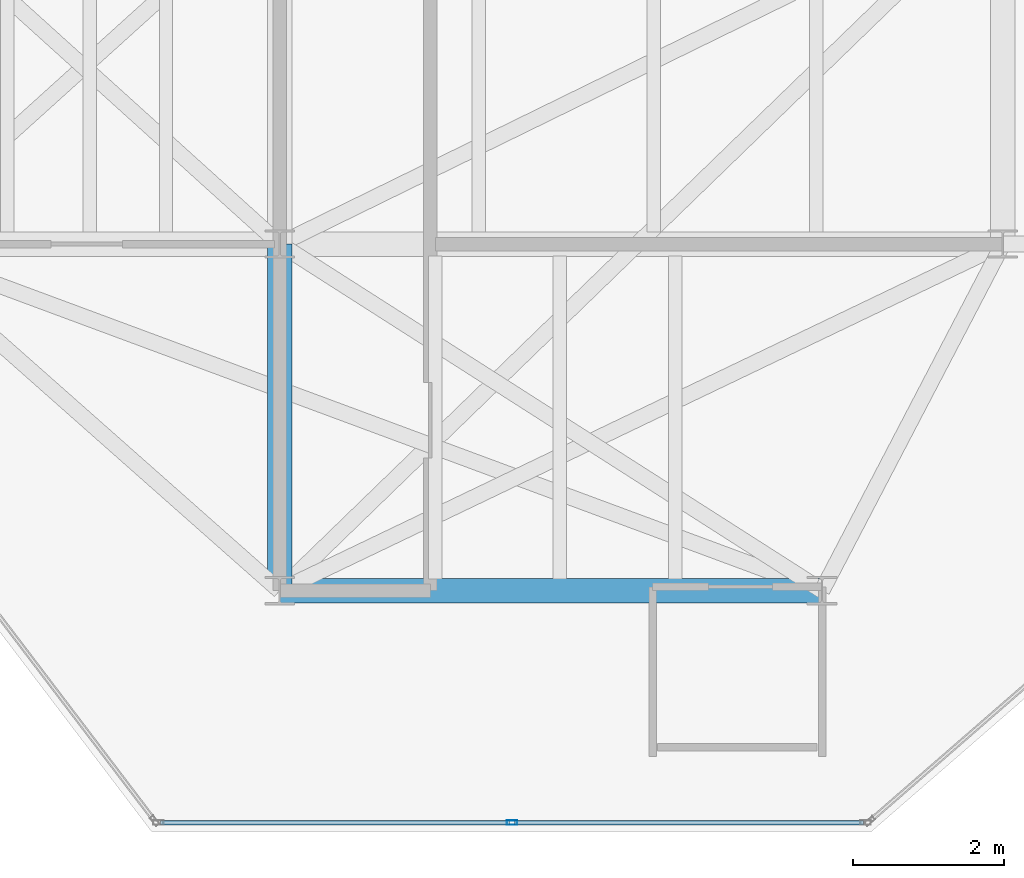
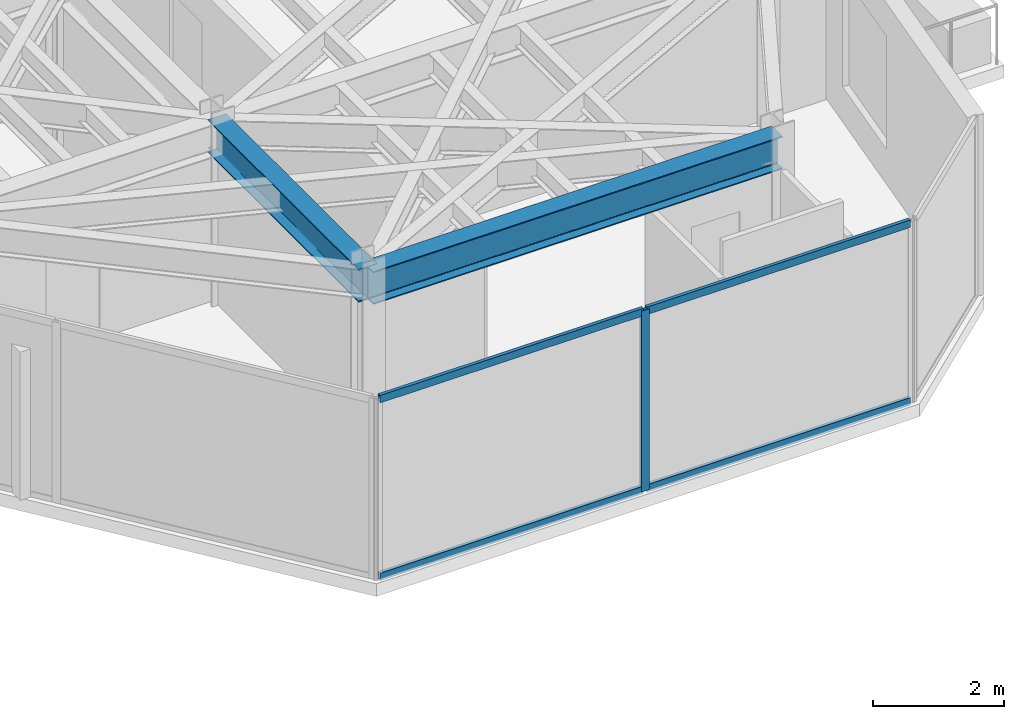
# One storey, part 6 of 17: 5 members, 2 beams, 1 element without a shape of its own.
"""IFC4 building model written with IfcOpenShell, lengths in metres."""

import ifcopenshell
import ifcopenshell.guid

model = None  # the IFC model being written
_history = None  # IfcOwnerHistory: only IFC2X3 demands one
_inside = {}  # id of a spatial element -> (the spatial element, [elements in it])
_under = {}  # id of a project, library or spatial element -> (it, [spatial elements below it])
_declared = {}  # id of a project -> (the project, [libraries it declares])
_typed = {}  # id of a type object -> (the type object, [elements of that type])
_made_of = {}  # id of a material, layer set ... -> (it, [elements and type objects made of it])


def new_model(schema):
    """Start an empty IFC model of exactly this schema.

    Asked for "IFC4X3", IfcOpenShell would pick the latest addendum, in which some entities
    have other attributes; the version numbers below select the first issue.
    IFC2X3 requires an IfcOwnerHistory on every rooted entity: one is made here for all.
    """
    global model, _history
    if schema == "IFC4X3":
        model = ifcopenshell.file(schema_version=(4, 3, 0, 0))
    else:
        model = ifcopenshell.file(schema=schema)
    _inside.clear()
    _under.clear()
    _declared.clear()
    _typed.clear()
    _made_of.clear()
    _history = None
    if model.schema == "IFC2X3":
        org = make("IfcOrganization", Name="unknown")
        user = make(
            "IfcPersonAndOrganization",
            ThePerson=make("IfcPerson", FamilyName="unknown"),
            TheOrganization=org,
        )
        app = make(
            "IfcApplication",
            ApplicationDeveloper=org,
            Version="unknown",
            ApplicationFullName="unknown",
            ApplicationIdentifier="unknown",
        )
        _history = make(
            "IfcOwnerHistory",
            OwningUser=user,
            OwningApplication=app,
            ChangeAction="ADDED",
            CreationDate=0,
        )
    return model


def make(cls, **values):
    """One entity of the class cls with the attributes given. An attribute that is None is left unset."""
    return model.create_entity(
        cls, **{name: value for name, value in values.items() if value is not None}
    )


def rooted(cls, **values):
    """An entity with a GlobalId (a new one), such as an element, a storey or a relation."""
    return make(cls, GlobalId=ifcopenshell.guid.new(), OwnerHistory=_history, **values)


def si_unit(unit_type, name, prefix=None):
    """IfcSIUnit, for example si_unit("LENGTHUNIT", "METRE", prefix="MILLI")."""
    return make("IfcSIUnit", UnitType=unit_type, Prefix=prefix, Name=name)


def assignment(units):
    """IfcUnitAssignment: the units of a project."""
    return None if units is None else make("IfcUnitAssignment", Units=units)


def point(xyz):
    """IfcCartesianPoint."""
    return None if xyz is None else make("IfcCartesianPoint", Coordinates=xyz)


def direction(xyz):
    """IfcDirection."""
    return None if xyz is None else make("IfcDirection", DirectionRatios=xyz)


def frame(location, z_axis=None, x_axis=None):
    """IfcAxis2Placement3D, a coordinate frame: its origin and axes. An axis left out is left unset."""
    return make(
        "IfcAxis2Placement3D",
        Location=point(location),
        Axis=direction(z_axis),
        RefDirection=direction(x_axis),
    )


def frame_2d(location, x_axis=None):
    """IfcAxis2Placement2D, a coordinate frame in the plane: its origin and x axis."""
    return make(
        "IfcAxis2Placement2D", Location=point(location), RefDirection=direction(x_axis)
    )


def origin():
    """The frame at (0, 0, 0) with its axes left unset."""
    return frame((0.0, 0.0, 0.0))


def origin_2d():
    """The frame at (0, 0) in the plane with its x axis left unset."""
    return frame_2d((0.0, 0.0))


def place(relative_to, where):
    """IfcLocalPlacement: puts the frame where relative to a parent placement (None: the world)."""
    return make(
        "IfcLocalPlacement", PlacementRelTo=relative_to, RelativePlacement=where
    )


def context(
    kind, dimensions, precision=None, world=None, true_north=None, identifier=None
):
    """IfcGeometricRepresentationContext, for example the 3D "Model" context."""
    return make(
        "IfcGeometricRepresentationContext",
        ContextIdentifier=identifier,
        ContextType=kind,
        CoordinateSpaceDimension=dimensions,
        Precision=precision,
        WorldCoordinateSystem=world,
        TrueNorth=true_north,
    )


def subcontext(parent, identifier, kind, view, scale=None):
    """IfcGeometricRepresentationSubContext, for example "Body" below "Model"."""
    return make(
        "IfcGeometricRepresentationSubContext",
        ContextIdentifier=identifier,
        ContextType=kind,
        ParentContext=parent,
        TargetScale=scale,
        TargetView=view,
    )


def project(units=None, contexts=None):
    """IfcProject with its units and contexts."""
    return rooted(
        "IfcProject",
        Name="project",
        RepresentationContexts=contexts,
        UnitsInContext=assignment(units),
    )


def spatial(cls, under=None, at=None, **own):
    """A site, building, storey or space (cls), placed at a placement, below another one or the project."""
    s = rooted(cls, ObjectPlacement=at, **own)
    if under is not None:
        _under.setdefault(under.id(), (under, []))[1].append(s)
    return s


def profile(cls, at=None, kind="AREA", **sizes):
    """A parametric profile (cls). Its sizes go by their IFC names, for example OverallWidth=200.0."""
    return make(cls, ProfileType=kind, Position=at, **sizes)


def hollow_rectangle(**sizes):
    """IfcRectangleHollowProfileDef."""
    return profile("IfcRectangleHollowProfileDef", **sizes)


def i_section(**sizes):
    """IfcIShapeProfileDef."""
    return profile("IfcIShapeProfileDef", **sizes)


def extrude(swept, where, along, depth):
    """IfcExtrudedAreaSolid: the profile swept, set in the frame where, extruded along a direction by depth."""
    return make(
        "IfcExtrudedAreaSolid",
        SweptArea=swept,
        Position=where,
        ExtrudedDirection=direction(along),
        Depth=depth,
    )


def shape(context_of_items, identifier, shape_type, items):
    """IfcShapeRepresentation: the items that make up one representation, for example the "Body"."""
    return make(
        "IfcShapeRepresentation",
        ContextOfItems=context_of_items,
        RepresentationIdentifier=identifier,
        RepresentationType=shape_type,
        Items=items,
    )


def material(Name=None, Category=None):
    """IfcMaterial."""
    return make("IfcMaterial", Name=Name, Category=Category)


def layer(
    of_material, thickness, ventilated=None, Name=None, Category=None, Priority=None
):
    """IfcMaterialLayer: one layer of a wall or slab, of a material (None: an air gap)."""
    return make(
        "IfcMaterialLayer",
        Material=of_material,
        LayerThickness=thickness,
        IsVentilated=ventilated,
        Name=Name,
        Category=Category,
        Priority=Priority,
    )


def layer_set(layers, Name=None):
    """IfcMaterialLayerSet."""
    return make("IfcMaterialLayerSet", MaterialLayers=layers, LayerSetName=Name)


def material_profile(
    of_material, cross_section, Name=None, Category=None, Priority=None
):
    """IfcMaterialProfile: a cross section and its material."""
    return make(
        "IfcMaterialProfile",
        Name=Name,
        Material=of_material,
        Profile=cross_section,
        Priority=Priority,
        Category=Category,
    )


def profile_set(profiles, Name=None, composite=None):
    """IfcMaterialProfileSet."""
    return make(
        "IfcMaterialProfileSet",
        Name=Name,
        MaterialProfiles=profiles,
        CompositeProfile=composite,
    )


def made_of(thing, what):
    """Note that an element or type object is made of a material, layer set ...; save() writes the relation."""
    if what is not None:
        _made_of.setdefault(what.id(), (what, []))[1].append(thing)
    return thing


def type_object(cls, material=None, **own):
    """A type object (cls), such as IfcWallType, which elements share."""
    return made_of(rooted(cls, **own), material)


def element(
    cls,
    number,
    at=None,
    inside=None,
    cuts=None,
    type_object=None,
    material=None,
    context=None,
    identifier="Body",
    shape_type=None,
    held_by="IfcProductDefinitionShape",
    body=None,
    shapes=None,
    **own,
):
    """One element of the class cls, such as IfcWall. Its Tag is "e" and its number.

    at: its placement. inside: the storey or other place that contains it. cuts: it is an
    opening in that element (IfcRelVoidsElement). A single representation is given by context,
    identifier, shape_type and body (its items); several are given by shapes. held_by: the class
    of the entity that holds the representations. save() writes the other relations.
    """
    e = rooted(cls, Tag="e%d" % number, ObjectPlacement=at, **own)
    if body is not None:
        shapes = [shape(context, identifier, shape_type, body)]
    if shapes is not None:
        e.Representation = make(held_by, Representations=shapes)
    if inside is not None:
        _inside.setdefault(inside.id(), (inside, []))[1].append(e)
    if cuts is not None:
        rooted(
            "IfcRelVoidsElement", RelatingBuildingElement=cuts, RelatedOpeningElement=e
        )
    if type_object is not None:
        _typed.setdefault(type_object.id(), (type_object, []))[1].append(e)
    return made_of(e, material)


def aggregate(whole, parts):
    """IfcRelAggregates: a whole, such as a stair, and the parts it consists of."""
    return rooted("IfcRelAggregates", RelatingObject=whole, RelatedObjects=parts)


def save(model, path):
    """Write the relations noted so far, then the file.

    IfcRelAggregates (storeys below a building ...), IfcRelContainedInSpatialStructure (elements
    in a storey), IfcRelDefinesByType, IfcRelAssociatesMaterial and IfcRelDeclares: one each for
    every whole, place, type object, material and project.
    """
    for whole, parts in _under.values():
        aggregate(whole, parts)
    for where, things in _inside.values():
        rooted(
            "IfcRelContainedInSpatialStructure",
            RelatedElements=things,
            RelatingStructure=where,
        )
    for kind, things in _typed.values():
        rooted("IfcRelDefinesByType", RelatedObjects=things, RelatingType=kind)
    for what, things in _made_of.values():
        rooted("IfcRelAssociatesMaterial", RelatedObjects=things, RelatingMaterial=what)
    for by, libraries in _declared.values():
        rooted("IfcRelDeclares", RelatingContext=by, RelatedDefinitions=libraries)
    model.write(path)


model = new_model("IFC4")

# Units and contexts
model_context = context("Model", 3, precision=1e-05, world=origin(), true_north=direction((0.0, 1.0)))
body_context = subcontext(model_context, "Body", "Model", "MODEL_VIEW")
ifc_project = project(units=[si_unit("LENGTHUNIT", "METRE"), si_unit("AREAUNIT", "SQUARE_METRE"), si_unit("VOLUMEUNIT", "CUBIC_METRE"), si_unit("PLANEANGLEUNIT", "RADIAN"), si_unit("MASSUNIT", "GRAM", prefix="KILO")], contexts=[model_context])

# Site, building, storey
site_placement = place(None, origin())
site = spatial("IfcSite", under=ifc_project, at=site_placement, CompositionType="ELEMENT")
building_placement = place(site_placement, origin())
building = spatial("IfcBuilding", under=site, at=building_placement, Name="Kravanh Interchange Tower", CompositionType="ELEMENT")
storey_placement = place(building_placement, frame((0.0, 0.0, 285.89990234375)))
storey = spatial("IfcBuildingStorey", under=building, at=storey_placement, Name="L70", CompositionType="ELEMENT", Elevation=285.89990234375)

# Curtain wall, members
ifc_material_1 = material(Name="Anodised Bronze Aluminium", Category="aluminium")
ifc_layer = layer(ifc_material_1, 0.179931640625)
ifc_layer_set = layer_set([ifc_layer], Name="Unitised Curtain Wall System CW-HTL Luxury Hotel")
curtain_wall_type = type_object("IfcCurtainWallType", Name="Unitised Curtain Wall System CW-HTL Luxury Hotel", PredefinedType="NOTDEFINED", material=ifc_layer_set)
curtain_wall_placement = place(storey_placement, origin())
curtain_wall = element("IfcCurtainWall", 1, at=curtain_wall_placement, inside=storey, type_object=curtain_wall_type, Name="L70 Unitised Curtain Wall CW-L70-03", PredefinedType="NOTDEFINED")
ifc_material_2 = material(Name="Anodised Bronze Aluminium", Category="aluminium")
ifc_material_profile_1 = material_profile(ifc_material_2, hollow_rectangle(XDim=0.06005859375, YDim=0.139892578125, WallThickness=0.00390625, at=origin_2d()), Name="ALU60X140X4")
ifc_profile_set_1 = profile_set([ifc_material_profile_1], Name="Anodised Bronze Aluminium")
member_type_1 = type_object("IfcMemberType", Name="Curtain Wall Mullion ALU60X140X4 Bronze", PredefinedType="MULLION", material=ifc_profile_set_1)
member_1_placement = place(storey_placement, frame((59.084228515625, 19.1201171875, 0.0), z_axis=(0.0, 0.0, 1.0), x_axis=(0.0, -1.0, 0.0)))
member_1 = element("IfcMember", 2, at=member_1_placement, type_object=member_type_1, Name="CW-HTL mullion 2", PredefinedType="MULLION", context=body_context, shape_type="SweptSolid", body=[
    extrude(hollow_rectangle(XDim=0.06005859375, YDim=0.139892578125, WallThickness=0.00390625, at=origin_2d()), origin(), (0.0, 0.0, 1.0), 3.364990234375),
])
ifc_material_3 = material(Name="Anodised Bronze Aluminium", Category="aluminium")
ifc_material_profile_2 = material_profile(ifc_material_3, hollow_rectangle(XDim=0.06005859375, YDim=0.139892578125, WallThickness=0.00390625, at=origin_2d()), Name="ALU60X140X4")
ifc_profile_set_2 = profile_set([ifc_material_profile_2], Name="Anodised Bronze Aluminium")
member_type_2 = type_object("IfcMemberType", Name="Curtain Wall Transom ALU60X140X4 Bronze", PredefinedType="USERDEFINED", material=ifc_profile_set_2)
member_2_placement = place(storey_placement, frame((63.7490234375, 19.1201171875, 0.030029296875), z_axis=(-1.0, 0.0, 0.0), x_axis=(0.0, -1.0, 0.0)))
member_2 = element("IfcMember", 3, at=member_2_placement, type_object=member_type_2, Name="CW-HTL transom 1.1", ObjectType="TRANSOM", PredefinedType="USERDEFINED", context=body_context, shape_type="SweptSolid", body=[
    extrude(hollow_rectangle(XDim=0.06005859375, YDim=0.139892578125, WallThickness=0.00390625, at=origin_2d()), origin(), (0.0, 0.0, 1.0), 4.634765625),
])
member_3_placement = place(storey_placement, frame((63.7490234375, 19.1201171875, 3.335205078125), z_axis=(-1.0, 0.0, 0.0), x_axis=(0.0, -1.0, 0.0)))
member_3 = element("IfcMember", 4, at=member_3_placement, type_object=member_type_2, Name="CW-HTL transom 1.2", ObjectType="TRANSOM", PredefinedType="USERDEFINED", context=body_context, shape_type="SweptSolid", body=[
    extrude(hollow_rectangle(XDim=0.06005859375, YDim=0.139892578125, WallThickness=0.00390625, at=origin_2d()), origin(), (0.0, 0.0, 1.0), 4.634765625),
])
member_4_placement = place(storey_placement, frame((59.05419921875, 19.1201171875, 0.030029296875), z_axis=(-1.0, 0.0, 0.0), x_axis=(0.0, -1.0, 0.0)))
member_4 = element("IfcMember", 5, at=member_4_placement, type_object=member_type_2, Name="CW-HTL transom 2.1", ObjectType="TRANSOM", PredefinedType="USERDEFINED", context=body_context, shape_type="SweptSolid", body=[
    extrude(hollow_rectangle(XDim=0.06005859375, YDim=0.139892578125, WallThickness=0.00390625, at=origin_2d()), origin(), (0.0, 0.0, 1.0), 4.634765625),
])
member_5_placement = place(storey_placement, frame((59.05419921875, 19.1201171875, 3.335205078125), z_axis=(-1.0, 0.0, 0.0), x_axis=(0.0, -1.0, 0.0)))
member_5 = element("IfcMember", 6, at=member_5_placement, type_object=member_type_2, Name="CW-HTL transom 2.2", ObjectType="TRANSOM", PredefinedType="USERDEFINED", context=body_context, shape_type="SweptSolid", body=[
    extrude(hollow_rectangle(XDim=0.06005859375, YDim=0.139892578125, WallThickness=0.00390625, at=origin_2d()), origin(), (0.0, 0.0, 1.0), 4.634765625),
])
aggregate(curtain_wall, [member_1, member_2, member_3, member_4, member_5])

# Beams
ifc_material_4 = material(Name="Structural Steel S355", Category="steel")
ifc_material_profile_3 = material_profile(ifc_material_4, i_section(OverallWidth=0.323974609375, OverallDepth=0.611083984375, WebThickness=0.0126953125, FlangeThickness=0.01904296875, FilletRadius=0.02197265625, at=origin_2d()), Name="W24X104")
ifc_profile_set_3 = profile_set([ifc_material_profile_3], Name="Structural Steel S355")
beam_type = type_object("IfcBeamType", Name="Floor Beam W24X104 Structural Steel S355", PredefinedType="BEAM", material=ifc_profile_set_3)
beam_1_placement = place(storey_placement, frame((56.0, 26.800048828125, 3.0595703125), z_axis=(0.0, -1.0, 0.0), x_axis=(1.0, 0.0, 0.0)))
element("IfcBeam", 7, at=beam_1_placement, inside=storey, type_object=beam_type, Name="L70 Primary Floor Girder 28", PredefinedType="BEAM", context=body_context, shape_type="SweptSolid", body=[
    extrude(i_section(OverallWidth=0.323974609375, OverallDepth=0.611083984375, WebThickness=0.0126953125, FlangeThickness=0.01904296875, FilletRadius=0.02197265625, at=origin_2d()), origin(), (0.0, 0.0, 1.0), 4.60009765625),
])
beam_2_placement = place(storey_placement, frame((56.0, 22.199951171875, 3.0595703125), z_axis=(1.0, 0.0, 0.0), x_axis=(0.0, 1.0, 0.0)))
element("IfcBeam", 8, at=beam_2_placement, inside=storey, type_object=beam_type, Name="L70 Primary Floor Girder 33", PredefinedType="BEAM", context=body_context, shape_type="SweptSolid", body=[
    extrude(i_section(OverallWidth=0.323974609375, OverallDepth=0.611083984375, WebThickness=0.0126953125, FlangeThickness=0.01904296875, FilletRadius=0.02197265625, at=origin_2d()), origin(), (0.0, 0.0, 1.0), 7.199951171875),
])

save(model, "model.ifc")
